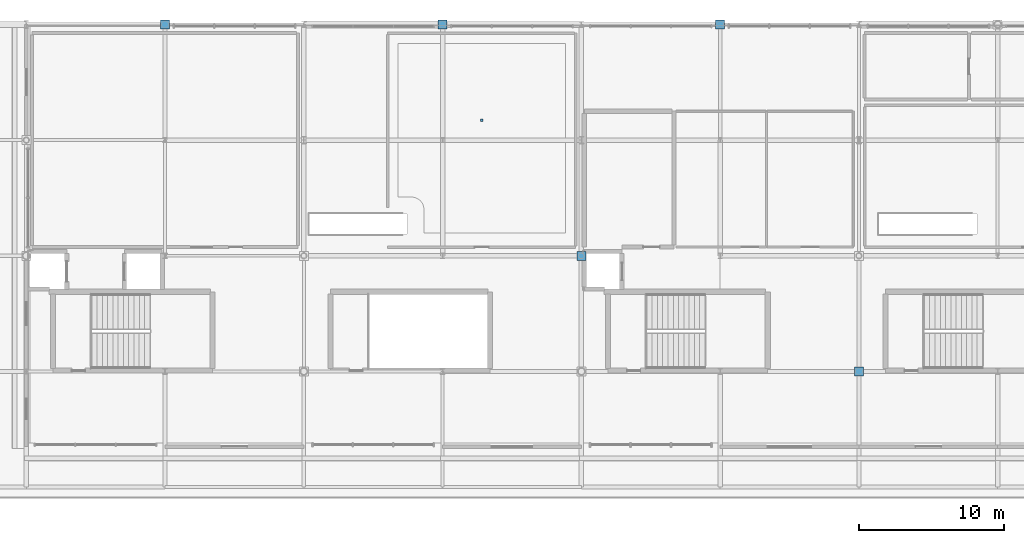
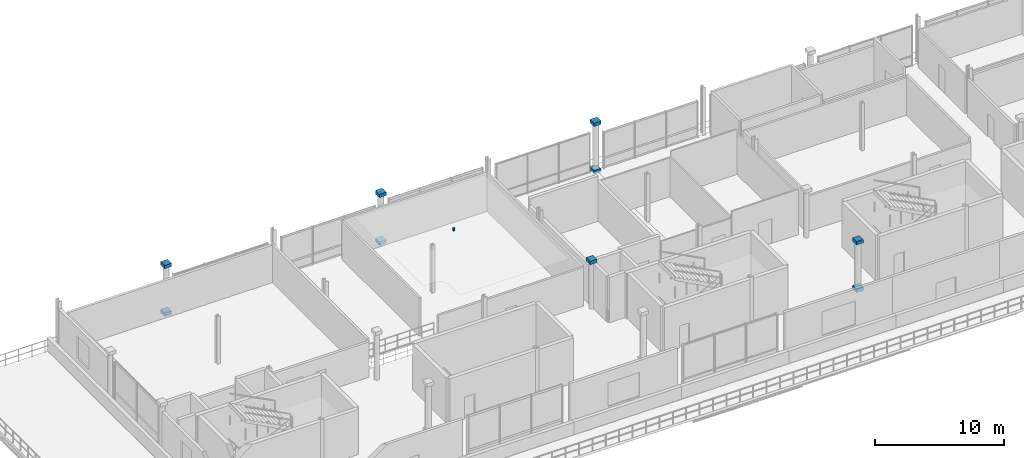
# One storey, part 19 of 26: 10 discrete accessories.
"""IFC4 building model written with IfcOpenShell, lengths in metres."""

from ifc_helpers import new_model, si_unit, direction, frame, origin, origin_2d, place, context, subcontext, project, spatial, rectangle, extrude, material, type_object, element, save


model = new_model("IFC4")

# Units and contexts
model_context = context("Model", 3, precision=1e-05, world=origin(), true_north=direction((0.0, 1.0)))
body_context = subcontext(model_context, "Body", "Model", "MODEL_VIEW")
ifc_project = project(units=[si_unit("LENGTHUNIT", "METRE"), si_unit("AREAUNIT", "SQUARE_METRE"), si_unit("VOLUMEUNIT", "CUBIC_METRE"), si_unit("PLANEANGLEUNIT", "RADIAN"), si_unit("MASSUNIT", "GRAM", prefix="KILO")], contexts=[model_context])

# Site, building, storey
site_placement = place(None, origin())
site = spatial("IfcSite", under=ifc_project, at=site_placement, CompositionType="ELEMENT")
building_placement = place(site_placement, origin())
building = spatial("IfcBuilding", under=site, at=building_placement, Name="Danafjord Basin Convention Centre", CompositionType="ELEMENT")
storey_placement = place(building_placement, frame((0.0, 0.0, 24.89990234375)))
storey = spatial("IfcBuildingStorey", under=building, at=storey_placement, Name="L05", CompositionType="ELEMENT", Elevation=24.89990234375)

# Discrete accessories
ifc_material_1 = material(Name="Stainless steel EN 1.4404", Category="steel")
discrete_accessory_type_1 = type_object("IfcDiscreteAccessoryType", Name="ACC-FIN-BRK", PredefinedType="BRACKET", material=ifc_material_1)
discrete_accessory_placement = place(storey_placement, frame((41.10009765625, 33.3798828125, 4.010009765625), z_axis=(0.0, 0.0, 1.0), x_axis=(1.0, 0.0, 0.0)))
element("IfcDiscreteAccessory", 1, at=discrete_accessory_placement, inside=storey, type_object=discrete_accessory_type_1, Name="Suspended ceiling steel hanger assembly", PredefinedType="BRACKET", context=body_context, shape_type="SweptSolid", body=[
    extrude(rectangle(XDim=0.159912109375, YDim=0.159912109375, at=origin_2d()), origin(), (0.0, 0.0, 1.0), 0.27001953125),
])
ifc_material_2 = material(Name="Steel S355", Category="steel")
discrete_accessory_type_2 = type_object("IfcDiscreteAccessoryType", Name="ACC-SF-HUB", PredefinedType="BRACKET", material=ifc_material_2)
for number, where, z_axis, x_axis, name in (
    (2, (19.199951171875, 40.0, -0.16015625), (0.0, 0.0, 1.0), (1.0, 0.0, 0.0), "Tubular steel column transition collar"),
    (3, (19.199951171875, 40.0, 4.33984375), (0.0, 0.0, 1.0), (1.0, 0.0, 0.0), "Tubular steel column top cap plate"),
    (4, (38.39990234375, 40.0, -0.16015625), (0.0, 0.0, 1.0), (1.0, 0.0, 0.0), "Tubular steel column transition collar"),
    (5, (38.39990234375, 40.0, 4.33984375), (0.0, 0.0, 1.0), (1.0, 0.0, 0.0), "Tubular steel column top cap plate"),
    (6, (48.0, 24.0, 4.33984375), (0.0, 0.0, 1.0), (1.0, 0.0, 0.0), "Tubular steel column top cap plate"),
    (7, (57.60009765625, 40.0, -0.16015625), (0.0, 0.0, 1.0), (1.0, 0.0, 0.0), "Tubular steel column transition collar"),
    (8, (57.60009765625, 40.0, 4.33984375), (0.0, 0.0, 1.0), (1.0, 0.0, 0.0), "Tubular steel column top cap plate"),
    (9, (67.199951171875, 16.0, -0.16015625), (0.0, 0.0, 1.0), (1.0, 0.0, 0.0), "Tubular steel column transition collar"),
    (10, (67.199951171875, 16.0, 4.33984375), (0.0, 0.0, 1.0), (1.0, 0.0, 0.0), "Tubular steel column top cap plate"),
):
    element("IfcDiscreteAccessory", number, at=place(storey_placement, frame(where, z_axis=z_axis, x_axis=x_axis)), inside=storey, type_object=discrete_accessory_type_2, Name=name, PredefinedType="BRACKET", context=body_context, shape_type="SweptSolid", body=[
        extrude(rectangle(XDim=0.6201171875, YDim=0.6201171875, at=origin_2d()), origin(), (0.0, 0.0, 1.0), 0.320068359375),
    ])

save(model, "model.ifc")
